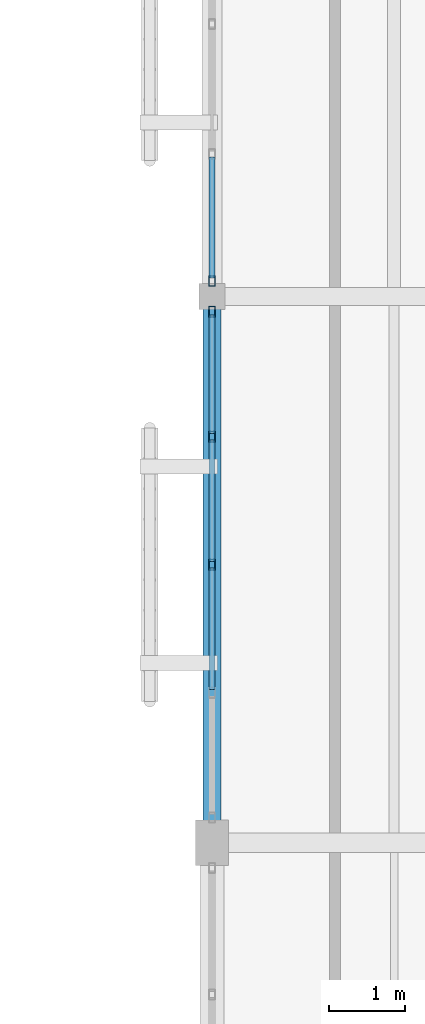
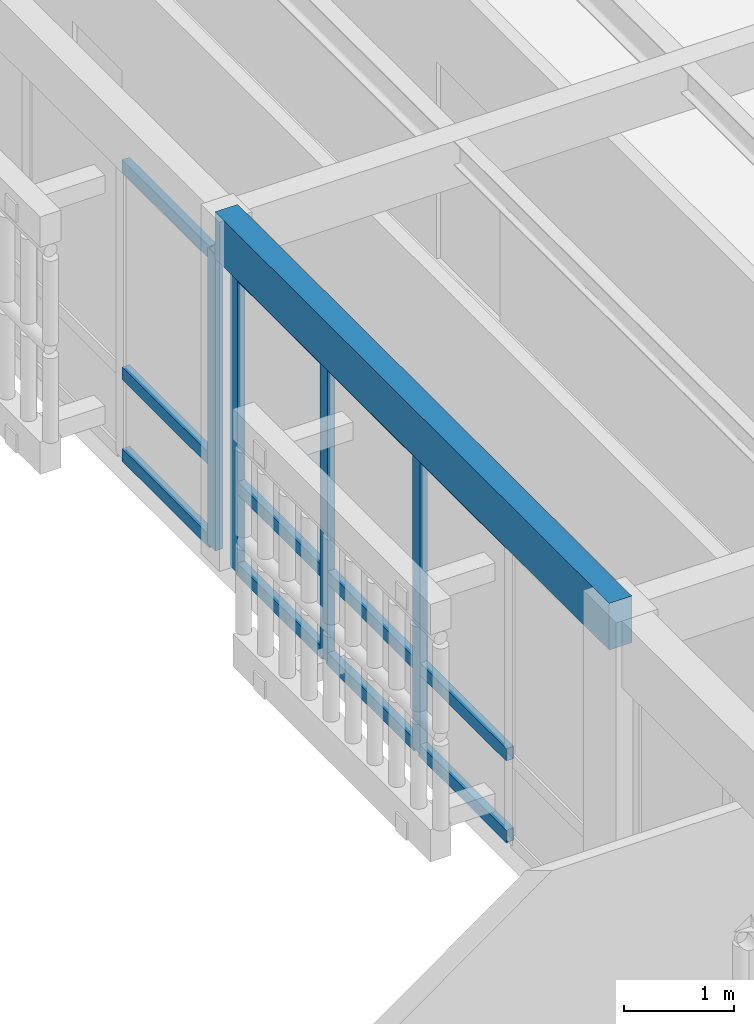
# One storey, part 33 of 217: 16 members, 1 beam, 2 elements without a shape of their own.
"""IFC4 building model written with IfcOpenShell, lengths in metres."""

from ifc_helpers import new_model, si_unit, direction, frame, origin, origin_2d, place, context, subcontext, project, spatial, rectangle, hollow_rectangle, extrude, material, layer, layer_set, material_profile, profile_set, type_object, element, aggregate, save


model = new_model("IFC4")

# Units and contexts
model_context = context("Model", 3, precision=1e-05, world=origin(), true_north=direction((0.0, 1.0)))
body_context = subcontext(model_context, "Body", "Model", "MODEL_VIEW")
ifc_project = project(units=[si_unit("LENGTHUNIT", "METRE"), si_unit("AREAUNIT", "SQUARE_METRE"), si_unit("VOLUMEUNIT", "CUBIC_METRE"), si_unit("PLANEANGLEUNIT", "RADIAN"), si_unit("MASSUNIT", "GRAM", prefix="KILO")], contexts=[model_context])

# Site, building, storey
site_placement = place(None, origin())
site = spatial("IfcSite", under=ifc_project, at=site_placement, CompositionType="ELEMENT")
building_placement = place(site_placement, origin())
building = spatial("IfcBuilding", under=site, at=building_placement, Name="Mazaris Harbour Polytechnic", CompositionType="ELEMENT")
storey_placement = place(building_placement, frame((0.0, 0.0, 9.60009765625)))
storey = spatial("IfcBuildingStorey", under=building, at=storey_placement, Name="L02", CompositionType="ELEMENT", Elevation=9.60009765625)

# Curtain wall, members
ifc_material_1 = material(Name="Anodised Bronze Aluminium and Low-E Glass", Category="aluminium")
ifc_layer = layer(ifc_material_1, 0.159912109375, Name="Anodised Bronze Aluminium and Low-E Glass")
ifc_layer_set = layer_set([ifc_layer], Name="Anodised Bronze Aluminium and Low-E Glass")
curtain_wall_type = type_object("IfcCurtainWallType", Name="Cloister Court Curtain Wall", PredefinedType="NOTDEFINED", material=ifc_layer_set)
curtain_wall_1_placement = place(storey_placement, origin())
curtain_wall_1 = element("IfcCurtainWall", 1, at=curtain_wall_1_placement, inside=storey, type_object=curtain_wall_type, Name="V4 L02 Curtain Wall 143", PredefinedType="NOTDEFINED")
ifc_material_2 = material(Name="Anodised Bronze Steel S355", Category="steel")
ifc_material_profile_1 = material_profile(ifc_material_2, hollow_rectangle(XDim=0.080078125, YDim=0.139892578125, WallThickness=0.00634765625, at=origin_2d()), Name="RHS 80x140x6.3")
ifc_profile_set_1 = profile_set([ifc_material_profile_1], Name="Anodised Bronze Steel S355")
member_type_1 = type_object("IfcMemberType", Name="Curtain Mullion RHS80x140", PredefinedType="MULLION", material=ifc_profile_set_1)
member_1_placement = place(storey_placement, frame((28.800048828125, 60.998046875, 0.0), z_axis=(0.0, 0.0, 1.0), x_axis=(1.0, 0.0, 0.0)))
member_1 = element("IfcMember", 2, at=member_1_placement, type_object=member_type_1, Name="CW-02 mullion 1", PredefinedType="MULLION", context=body_context, shape_type="SweptSolid", body=[
    extrude(hollow_rectangle(XDim=0.080078125, YDim=0.139892578125, WallThickness=0.00634765625, at=origin_2d()), origin(), (0.0, 0.0, 1.0), 3.35986328125),
])
member_2_placement = place(storey_placement, frame((28.800048828125, 59.3515625, 0.0), z_axis=(0.0, 0.0, 1.0), x_axis=(1.0, 0.0, 0.0)))
member_2 = element("IfcMember", 3, at=member_2_placement, type_object=member_type_1, Name="CW-02 mullion 2", PredefinedType="MULLION", context=body_context, shape_type="SweptSolid", body=[
    extrude(hollow_rectangle(XDim=0.080078125, YDim=0.139892578125, WallThickness=0.00634765625, at=origin_2d()), origin(), (0.0, 0.0, 1.0), 3.35986328125),
])
member_3_placement = place(storey_placement, frame((28.800048828125, 57.6650390625, 0.0), z_axis=(0.0, 0.0, 1.0), x_axis=(1.0, 0.0, 0.0)))
member_3 = element("IfcMember", 4, at=member_3_placement, type_object=member_type_1, Name="CW-02 mullion 3", PredefinedType="MULLION", context=body_context, shape_type="SweptSolid", body=[
    extrude(hollow_rectangle(XDim=0.080078125, YDim=0.139892578125, WallThickness=0.00634765625, at=origin_2d()), origin(), (0.0, 0.0, 1.0), 3.35986328125),
])

# Curtain wall, member
curtain_wall_2_placement = place(storey_placement, origin())
curtain_wall_2 = element("IfcCurtainWall", 5, at=curtain_wall_2_placement, inside=storey, type_object=curtain_wall_type, Name="V4 L02 Curtain Wall 144", PredefinedType="NOTDEFINED")
member_4_placement = place(storey_placement, frame((28.800048828125, 61.402099609375, 0.0), z_axis=(0.0, 0.0, 1.0), x_axis=(1.0, 0.0, 0.0)))
member_4 = element("IfcMember", 6, at=member_4_placement, type_object=member_type_1, Name="CW-02 mullion 5", PredefinedType="MULLION", context=body_context, shape_type="SweptSolid", body=[
    extrude(hollow_rectangle(XDim=0.080078125, YDim=0.139892578125, WallThickness=0.00634765625, at=origin_2d()), origin(), (0.0, 0.0, 1.0), 3.2998046875),
])

# Member
ifc_material_3 = material(Name="Anodised Bronze Steel S355", Category="steel")
ifc_material_profile_2 = material_profile(ifc_material_3, hollow_rectangle(XDim=0.080078125, YDim=0.139892578125, WallThickness=0.00634765625, at=origin_2d()), Name="RHS 80x140x6.3")
ifc_profile_set_2 = profile_set([ifc_material_profile_2], Name="Anodised Bronze Steel S355")
member_type_2 = type_object("IfcMemberType", Name="Curtain Transom RHS80x140", PredefinedType="USERDEFINED", material=ifc_profile_set_2)
member_5_placement = place(storey_placement, frame((28.800048828125, 60.9580078125, 0.039794921875), z_axis=(0.0, -1.0, 0.0), x_axis=(1.0, 0.0, 0.0)))
member_5 = element("IfcMember", 7, at=member_5_placement, type_object=member_type_2, Name="CW-02 transom 1.1", ObjectType="TRANSOM", PredefinedType="USERDEFINED", context=body_context, shape_type="SweptSolid", body=[
    extrude(hollow_rectangle(XDim=0.080078125, YDim=0.139892578125, WallThickness=0.00634765625, at=origin_2d()), origin(), (0.0, 0.0, 1.0), 1.56640625),
])

member_6_placement = place(storey_placement, frame((28.800048828125, 60.9580078125, 0.949951171875), z_axis=(0.0, -1.0, 0.0), x_axis=(1.0, 0.0, 0.0)))
member_6 = element("IfcMember", 8, at=member_6_placement, type_object=member_type_2, Name="CW-02 transom 1.2", ObjectType="TRANSOM", PredefinedType="USERDEFINED", context=body_context, shape_type="SweptSolid", body=[
    extrude(hollow_rectangle(XDim=0.080078125, YDim=0.139892578125, WallThickness=0.00634765625, at=origin_2d()), origin(), (0.0, 0.0, 1.0), 1.56640625),
])

member_7_placement = place(storey_placement, frame((28.800048828125, 60.9580078125, 3.31982421875), z_axis=(0.0, -1.0, 0.0), x_axis=(1.0, 0.0, 0.0)))
member_7 = element("IfcMember", 9, at=member_7_placement, type_object=member_type_2, Name="CW-02 transom 1.3", ObjectType="TRANSOM", PredefinedType="USERDEFINED", context=body_context, shape_type="SweptSolid", body=[
    extrude(hollow_rectangle(XDim=0.080078125, YDim=0.139892578125, WallThickness=0.00634765625, at=origin_2d()), origin(), (0.0, 0.0, 1.0), 1.56640625),
])

member_8_placement = place(storey_placement, frame((28.800048828125, 59.3115234375, 0.039794921875), z_axis=(0.0, -1.0, 0.0), x_axis=(1.0, 0.0, 0.0)))
member_8 = element("IfcMember", 10, at=member_8_placement, type_object=member_type_2, Name="CW-02 transom 2.1", ObjectType="TRANSOM", PredefinedType="USERDEFINED", context=body_context, shape_type="SweptSolid", body=[
    extrude(hollow_rectangle(XDim=0.080078125, YDim=0.139892578125, WallThickness=0.00634765625, at=origin_2d()), origin(), (0.0, 0.0, 1.0), 1.6064453125),
])

member_9_placement = place(storey_placement, frame((28.800048828125, 59.3115234375, 0.949951171875), z_axis=(0.0, -1.0, 0.0), x_axis=(1.0, 0.0, 0.0)))
member_9 = element("IfcMember", 11, at=member_9_placement, type_object=member_type_2, Name="CW-02 transom 2.2", ObjectType="TRANSOM", PredefinedType="USERDEFINED", context=body_context, shape_type="SweptSolid", body=[
    extrude(hollow_rectangle(XDim=0.080078125, YDim=0.139892578125, WallThickness=0.00634765625, at=origin_2d()), origin(), (0.0, 0.0, 1.0), 1.6064453125),
])

member_10_placement = place(storey_placement, frame((28.800048828125, 59.3115234375, 3.31982421875), z_axis=(0.0, -1.0, 0.0), x_axis=(1.0, 0.0, 0.0)))
member_10 = element("IfcMember", 12, at=member_10_placement, type_object=member_type_2, Name="CW-02 transom 2.3", ObjectType="TRANSOM", PredefinedType="USERDEFINED", context=body_context, shape_type="SweptSolid", body=[
    extrude(hollow_rectangle(XDim=0.080078125, YDim=0.139892578125, WallThickness=0.00634765625, at=origin_2d()), origin(), (0.0, 0.0, 1.0), 1.6064453125),
])

member_11_placement = place(storey_placement, frame((28.800048828125, 57.625, 0.039794921875), z_axis=(0.0, -1.0, 0.0), x_axis=(1.0, 0.0, 0.0)))
member_11 = element("IfcMember", 13, at=member_11_placement, type_object=member_type_2, Name="CW-02 transom 3.1", ObjectType="TRANSOM", PredefinedType="USERDEFINED", context=body_context, shape_type="SweptSolid", body=[
    extrude(hollow_rectangle(XDim=0.080078125, YDim=0.139892578125, WallThickness=0.00634765625, at=origin_2d()), origin(), (0.0, 0.0, 1.0), 1.6064453125),
])

member_12_placement = place(storey_placement, frame((28.800048828125, 57.625, 0.949951171875), z_axis=(0.0, -1.0, 0.0), x_axis=(1.0, 0.0, 0.0)))
member_12 = element("IfcMember", 14, at=member_12_placement, type_object=member_type_2, Name="CW-02 transom 3.2", ObjectType="TRANSOM", PredefinedType="USERDEFINED", context=body_context, shape_type="SweptSolid", body=[
    extrude(hollow_rectangle(XDim=0.080078125, YDim=0.139892578125, WallThickness=0.00634765625, at=origin_2d()), origin(), (0.0, 0.0, 1.0), 1.6064453125),
])

member_13_placement = place(storey_placement, frame((28.800048828125, 57.625, 3.31982421875), z_axis=(0.0, -1.0, 0.0), x_axis=(1.0, 0.0, 0.0)))
member_13 = element("IfcMember", 15, at=member_13_placement, type_object=member_type_2, Name="CW-02 transom 3.3", ObjectType="TRANSOM", PredefinedType="USERDEFINED", context=body_context, shape_type="SweptSolid", body=[
    extrude(hollow_rectangle(XDim=0.080078125, YDim=0.139892578125, WallThickness=0.00634765625, at=origin_2d()), origin(), (0.0, 0.0, 1.0), 1.6064453125),
])

aggregate(curtain_wall_1, [member_1, member_2, member_3, member_5, member_6, member_7, member_8, member_9, member_10, member_11, member_12, member_13])

member_14_placement = place(storey_placement, frame((28.800048828125, 63.035888671875, 0.039794921875), z_axis=(0.0, -1.0, 0.0), x_axis=(1.0, 0.0, 0.0)))
member_14 = element("IfcMember", 16, at=member_14_placement, type_object=member_type_2, Name="CW-02 transom 4.1", ObjectType="TRANSOM", PredefinedType="USERDEFINED", context=body_context, shape_type="SweptSolid", body=[
    extrude(hollow_rectangle(XDim=0.080078125, YDim=0.139892578125, WallThickness=0.00634765625, at=origin_2d()), origin(), (0.0, 0.0, 1.0), 1.593994140625),
])

member_15_placement = place(storey_placement, frame((28.800048828125, 63.035888671875, 0.949951171875), z_axis=(0.0, -1.0, 0.0), x_axis=(1.0, 0.0, 0.0)))
member_15 = element("IfcMember", 17, at=member_15_placement, type_object=member_type_2, Name="CW-02 transom 4.2", ObjectType="TRANSOM", PredefinedType="USERDEFINED", context=body_context, shape_type="SweptSolid", body=[
    extrude(hollow_rectangle(XDim=0.080078125, YDim=0.139892578125, WallThickness=0.00634765625, at=origin_2d()), origin(), (0.0, 0.0, 1.0), 1.593994140625),
])

member_16_placement = place(storey_placement, frame((28.800048828125, 63.035888671875, 3.260009765625), z_axis=(0.0, -1.0, 0.0), x_axis=(1.0, 0.0, 0.0)))
member_16 = element("IfcMember", 18, at=member_16_placement, type_object=member_type_2, Name="CW-02 transom 4.3", ObjectType="TRANSOM", PredefinedType="USERDEFINED", context=body_context, shape_type="SweptSolid", body=[
    extrude(hollow_rectangle(XDim=0.080078125, YDim=0.139892578125, WallThickness=0.00634765625, at=origin_2d()), origin(), (0.0, 0.0, 1.0), 1.593994140625),
])

aggregate(curtain_wall_2, [member_4, member_14, member_15, member_16])

# Beam
ifc_material_4 = material(Name="Glulam GL32h", Category="wood")
ifc_material_profile_3 = material_profile(ifc_material_4, rectangle(XDim=0.239990234375, YDim=0.52001953125, at=origin_2d()), Name="RECT240x520")
ifc_profile_set_3 = profile_set([ifc_material_profile_3], Name="Glulam GL32h")
beam_type = type_object("IfcBeamType", Name="Glulam Girder 240x520", PredefinedType="BEAM", material=ifc_profile_set_3)
beam_placement = place(storey_placement, frame((28.800048828125, 54.0, 3.6298828125), z_axis=(0.0, 1.0, 0.0), x_axis=(-1.0, 0.0, 0.0)))
element("IfcBeam", 19, at=beam_placement, inside=storey, type_object=beam_type, Name="V4 L02 Tie Girder 2015", PredefinedType="BEAM", context=body_context, shape_type="SweptSolid", body=[
    extrude(rectangle(XDim=0.239990234375, YDim=0.52001953125, at=origin_2d()), origin(), (0.0, 0.0, 1.0), 7.199951171875),
])

save(model, "model.ifc")
